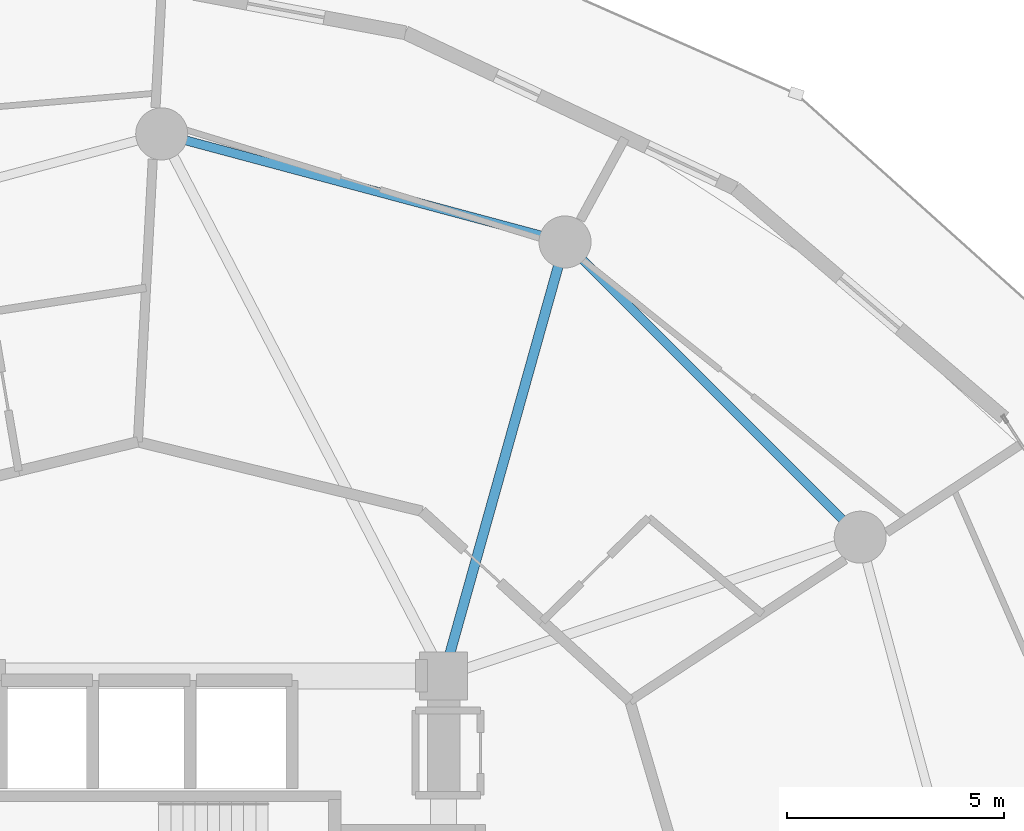
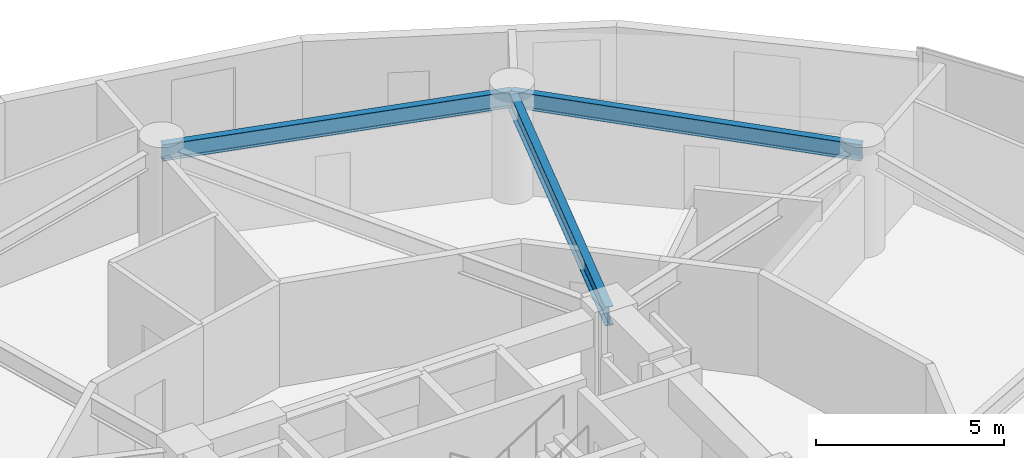
# One storey, part 18 of 26: 3 beams.
"""IFC4 building model written with IfcOpenShell, lengths in metres."""

import ifcopenshell
import ifcopenshell.guid

model = None  # the IFC model being written
_history = None  # IfcOwnerHistory: only IFC2X3 demands one
_inside = {}  # id of a spatial element -> (the spatial element, [elements in it])
_under = {}  # id of a project, library or spatial element -> (it, [spatial elements below it])
_declared = {}  # id of a project -> (the project, [libraries it declares])
_typed = {}  # id of a type object -> (the type object, [elements of that type])
_made_of = {}  # id of a material, layer set ... -> (it, [elements and type objects made of it])


def new_model(schema):
    """Start an empty IFC model of exactly this schema.

    Asked for "IFC4X3", IfcOpenShell would pick the latest addendum, in which some entities
    have other attributes; the version numbers below select the first issue.
    IFC2X3 requires an IfcOwnerHistory on every rooted entity: one is made here for all.
    """
    global model, _history
    if schema == "IFC4X3":
        model = ifcopenshell.file(schema_version=(4, 3, 0, 0))
    else:
        model = ifcopenshell.file(schema=schema)
    _inside.clear()
    _under.clear()
    _declared.clear()
    _typed.clear()
    _made_of.clear()
    _history = None
    if model.schema == "IFC2X3":
        org = make("IfcOrganization", Name="unknown")
        user = make(
            "IfcPersonAndOrganization",
            ThePerson=make("IfcPerson", FamilyName="unknown"),
            TheOrganization=org,
        )
        app = make(
            "IfcApplication",
            ApplicationDeveloper=org,
            Version="unknown",
            ApplicationFullName="unknown",
            ApplicationIdentifier="unknown",
        )
        _history = make(
            "IfcOwnerHistory",
            OwningUser=user,
            OwningApplication=app,
            ChangeAction="ADDED",
            CreationDate=0,
        )
    return model


def make(cls, **values):
    """One entity of the class cls with the attributes given. An attribute that is None is left unset."""
    return model.create_entity(
        cls, **{name: value for name, value in values.items() if value is not None}
    )


def rooted(cls, **values):
    """An entity with a GlobalId (a new one), such as an element, a storey or a relation."""
    return make(cls, GlobalId=ifcopenshell.guid.new(), OwnerHistory=_history, **values)


def si_unit(unit_type, name, prefix=None):
    """IfcSIUnit, for example si_unit("LENGTHUNIT", "METRE", prefix="MILLI")."""
    return make("IfcSIUnit", UnitType=unit_type, Prefix=prefix, Name=name)


def assignment(units):
    """IfcUnitAssignment: the units of a project."""
    return None if units is None else make("IfcUnitAssignment", Units=units)


def point(xyz):
    """IfcCartesianPoint."""
    return None if xyz is None else make("IfcCartesianPoint", Coordinates=xyz)


def direction(xyz):
    """IfcDirection."""
    return None if xyz is None else make("IfcDirection", DirectionRatios=xyz)


def frame(location, z_axis=None, x_axis=None):
    """IfcAxis2Placement3D, a coordinate frame: its origin and axes. An axis left out is left unset."""
    return make(
        "IfcAxis2Placement3D",
        Location=point(location),
        Axis=direction(z_axis),
        RefDirection=direction(x_axis),
    )


def frame_2d(location, x_axis=None):
    """IfcAxis2Placement2D, a coordinate frame in the plane: its origin and x axis."""
    return make(
        "IfcAxis2Placement2D", Location=point(location), RefDirection=direction(x_axis)
    )


def origin():
    """The frame at (0, 0, 0) with its axes left unset."""
    return frame((0.0, 0.0, 0.0))


def origin_2d():
    """The frame at (0, 0) in the plane with its x axis left unset."""
    return frame_2d((0.0, 0.0))


def place(relative_to, where):
    """IfcLocalPlacement: puts the frame where relative to a parent placement (None: the world)."""
    return make(
        "IfcLocalPlacement", PlacementRelTo=relative_to, RelativePlacement=where
    )


def context(
    kind, dimensions, precision=None, world=None, true_north=None, identifier=None
):
    """IfcGeometricRepresentationContext, for example the 3D "Model" context."""
    return make(
        "IfcGeometricRepresentationContext",
        ContextIdentifier=identifier,
        ContextType=kind,
        CoordinateSpaceDimension=dimensions,
        Precision=precision,
        WorldCoordinateSystem=world,
        TrueNorth=true_north,
    )


def subcontext(parent, identifier, kind, view, scale=None):
    """IfcGeometricRepresentationSubContext, for example "Body" below "Model"."""
    return make(
        "IfcGeometricRepresentationSubContext",
        ContextIdentifier=identifier,
        ContextType=kind,
        ParentContext=parent,
        TargetScale=scale,
        TargetView=view,
    )


def project(units=None, contexts=None):
    """IfcProject with its units and contexts."""
    return rooted(
        "IfcProject",
        Name="project",
        RepresentationContexts=contexts,
        UnitsInContext=assignment(units),
    )


def spatial(cls, under=None, at=None, **own):
    """A site, building, storey or space (cls), placed at a placement, below another one or the project."""
    s = rooted(cls, ObjectPlacement=at, **own)
    if under is not None:
        _under.setdefault(under.id(), (under, []))[1].append(s)
    return s


def profile(cls, at=None, kind="AREA", **sizes):
    """A parametric profile (cls). Its sizes go by their IFC names, for example OverallWidth=200.0."""
    return make(cls, ProfileType=kind, Position=at, **sizes)


def i_section(**sizes):
    """IfcIShapeProfileDef."""
    return profile("IfcIShapeProfileDef", **sizes)


def extrude(swept, where, along, depth):
    """IfcExtrudedAreaSolid: the profile swept, set in the frame where, extruded along a direction by depth."""
    return make(
        "IfcExtrudedAreaSolid",
        SweptArea=swept,
        Position=where,
        ExtrudedDirection=direction(along),
        Depth=depth,
    )


def shape(context_of_items, identifier, shape_type, items):
    """IfcShapeRepresentation: the items that make up one representation, for example the "Body"."""
    return make(
        "IfcShapeRepresentation",
        ContextOfItems=context_of_items,
        RepresentationIdentifier=identifier,
        RepresentationType=shape_type,
        Items=items,
    )


def material(Name=None, Category=None):
    """IfcMaterial."""
    return make("IfcMaterial", Name=Name, Category=Category)


def material_profile(
    of_material, cross_section, Name=None, Category=None, Priority=None
):
    """IfcMaterialProfile: a cross section and its material."""
    return make(
        "IfcMaterialProfile",
        Name=Name,
        Material=of_material,
        Profile=cross_section,
        Priority=Priority,
        Category=Category,
    )


def profile_set(profiles, Name=None, composite=None):
    """IfcMaterialProfileSet."""
    return make(
        "IfcMaterialProfileSet",
        Name=Name,
        MaterialProfiles=profiles,
        CompositeProfile=composite,
    )


def made_of(thing, what):
    """Note that an element or type object is made of a material, layer set ...; save() writes the relation."""
    if what is not None:
        _made_of.setdefault(what.id(), (what, []))[1].append(thing)
    return thing


def type_object(cls, material=None, **own):
    """A type object (cls), such as IfcWallType, which elements share."""
    return made_of(rooted(cls, **own), material)


def element(
    cls,
    number,
    at=None,
    inside=None,
    cuts=None,
    type_object=None,
    material=None,
    context=None,
    identifier="Body",
    shape_type=None,
    held_by="IfcProductDefinitionShape",
    body=None,
    shapes=None,
    **own,
):
    """One element of the class cls, such as IfcWall. Its Tag is "e" and its number.

    at: its placement. inside: the storey or other place that contains it. cuts: it is an
    opening in that element (IfcRelVoidsElement). A single representation is given by context,
    identifier, shape_type and body (its items); several are given by shapes. held_by: the class
    of the entity that holds the representations. save() writes the other relations.
    """
    e = rooted(cls, Tag="e%d" % number, ObjectPlacement=at, **own)
    if body is not None:
        shapes = [shape(context, identifier, shape_type, body)]
    if shapes is not None:
        e.Representation = make(held_by, Representations=shapes)
    if inside is not None:
        _inside.setdefault(inside.id(), (inside, []))[1].append(e)
    if cuts is not None:
        rooted(
            "IfcRelVoidsElement", RelatingBuildingElement=cuts, RelatedOpeningElement=e
        )
    if type_object is not None:
        _typed.setdefault(type_object.id(), (type_object, []))[1].append(e)
    return made_of(e, material)


def aggregate(whole, parts):
    """IfcRelAggregates: a whole, such as a stair, and the parts it consists of."""
    return rooted("IfcRelAggregates", RelatingObject=whole, RelatedObjects=parts)


def save(model, path):
    """Write the relations noted so far, then the file.

    IfcRelAggregates (storeys below a building ...), IfcRelContainedInSpatialStructure (elements
    in a storey), IfcRelDefinesByType, IfcRelAssociatesMaterial and IfcRelDeclares: one each for
    every whole, place, type object, material and project.
    """
    for whole, parts in _under.values():
        aggregate(whole, parts)
    for where, things in _inside.values():
        rooted(
            "IfcRelContainedInSpatialStructure",
            RelatedElements=things,
            RelatingStructure=where,
        )
    for kind, things in _typed.values():
        rooted("IfcRelDefinesByType", RelatedObjects=things, RelatingType=kind)
    for what, things in _made_of.values():
        rooted("IfcRelAssociatesMaterial", RelatedObjects=things, RelatingMaterial=what)
    for by, libraries in _declared.values():
        rooted("IfcRelDeclares", RelatingContext=by, RelatedDefinitions=libraries)
    model.write(path)


model = new_model("IFC4")

# Units and contexts
model_context = context("Model", 3, precision=1e-05, world=origin(), true_north=direction((0.0, 1.0)))
body_context = subcontext(model_context, "Body", "Model", "MODEL_VIEW")
ifc_project = project(units=[si_unit("LENGTHUNIT", "METRE"), si_unit("AREAUNIT", "SQUARE_METRE"), si_unit("VOLUMEUNIT", "CUBIC_METRE"), si_unit("PLANEANGLEUNIT", "RADIAN"), si_unit("MASSUNIT", "GRAM", prefix="KILO")], contexts=[model_context])

# Site, building, storey
site_placement = place(None, origin())
site = spatial("IfcSite", under=ifc_project, at=site_placement, CompositionType="ELEMENT")
building_placement = place(site_placement, origin())
building = spatial("IfcBuilding", under=site, at=building_placement, Name="Solvirekh Grand Hotel", CompositionType="ELEMENT")
storey_placement = place(building_placement, frame((0.0, 0.0, 68.0)))
storey = spatial("IfcBuildingStorey", under=building, at=storey_placement, Name="L16", CompositionType="ELEMENT", Elevation=68.0)

# Beams
ifc_material = material(Name="Steel S355", Category="steel")
ifc_material_profile_1 = material_profile(ifc_material, i_section(OverallWidth=0.22998046875, OverallDepth=0.615966796875, WebThickness=0.013916015625, FlangeThickness=0.02392578125, FilletRadius=0.014892578125, at=origin_2d()), Name="W610X174")
ifc_profile_set_1 = profile_set([ifc_material_profile_1], Name="Steel S355")
beam_type_1 = type_object("IfcBeamType", Name="Beam_Primary_W610H", PredefinedType="BEAM", material=ifc_profile_set_1)
beam_1_placement = place(storey_placement, frame((6.5, 6.10009765625, 3.031982421875), z_axis=(0.269439084681, 0.963017434757, 0.0), x_axis=(-0.963017434757, 0.269439084681, 0.0)))
element("IfcBeam", 1, at=beam_1_placement, inside=storey, type_object=beam_type_1, Name="L16 radial floor beam R03", PredefinedType="BEAM", context=body_context, shape_type="SweptSolid", body=[
    extrude(i_section(OverallWidth=0.22998046875, OverallDepth=0.615966796875, WebThickness=0.013916015625, FlangeThickness=0.02392578125, FilletRadius=0.014892578125, at=origin_2d()), origin(), (0.0, 0.0, 1.0), 10.39208984375),
])
ifc_material_profile_2 = material_profile(ifc_material, i_section(OverallWidth=0.208984375, OverallDepth=0.532958984375, WebThickness=0.010009765625, FlangeThickness=0.014892578125, FilletRadius=0.013916015625, at=origin_2d()), Name="W530X92")
ifc_profile_set_2 = profile_set([ifc_material_profile_2], Name="Steel S355")
beam_type_2 = type_object("IfcBeamType", Name="Spandrel_Ring_W530", PredefinedType="SPANDREL", material=ifc_profile_set_2)
beam_2_placement = place(storey_placement, frame((16.10791015625, 9.300048828125, 3.073974609375), z_axis=(-0.707106781187, 0.707106781187, 0.0), x_axis=(-0.707106781187, -0.707106781187, 0.0)))
element("IfcBeam", 2, at=beam_2_placement, inside=storey, type_object=beam_type_2, Name="L16 perimeter spandrel beam 2", PredefinedType="SPANDREL", context=body_context, shape_type="SweptSolid", body=[
    extrude(i_section(OverallWidth=0.208984375, OverallDepth=0.532958984375, WebThickness=0.010009765625, FlangeThickness=0.014892578125, FilletRadius=0.013916015625, at=origin_2d()), origin(), (0.0, 0.0, 1.0), 9.627685546875),
])
beam_3_placement = place(storey_placement, frame((9.300048828125, 16.10791015625, 3.073974609375), z_axis=(-0.965919414426, 0.258842973314, 0.0), x_axis=(-0.258842973314, -0.965919414426, 0.0)))
element("IfcBeam", 3, at=beam_3_placement, inside=storey, type_object=beam_type_2, Name="L16 perimeter spandrel beam 3", PredefinedType="SPANDREL", context=body_context, shape_type="SweptSolid", body=[
    extrude(i_section(OverallWidth=0.208984375, OverallDepth=0.532958984375, WebThickness=0.010009765625, FlangeThickness=0.014892578125, FilletRadius=0.013916015625, at=origin_2d()), origin(), (0.0, 0.0, 1.0), 9.628173828125),
])

save(model, "model.ifc")
